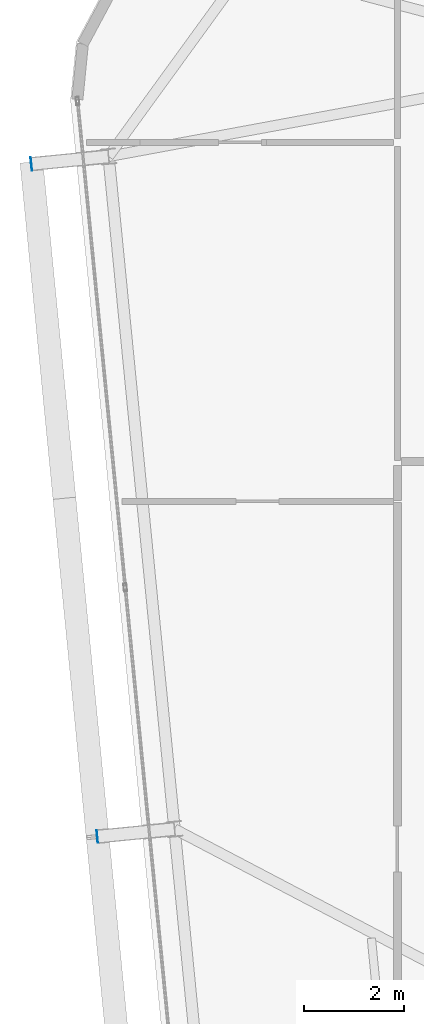
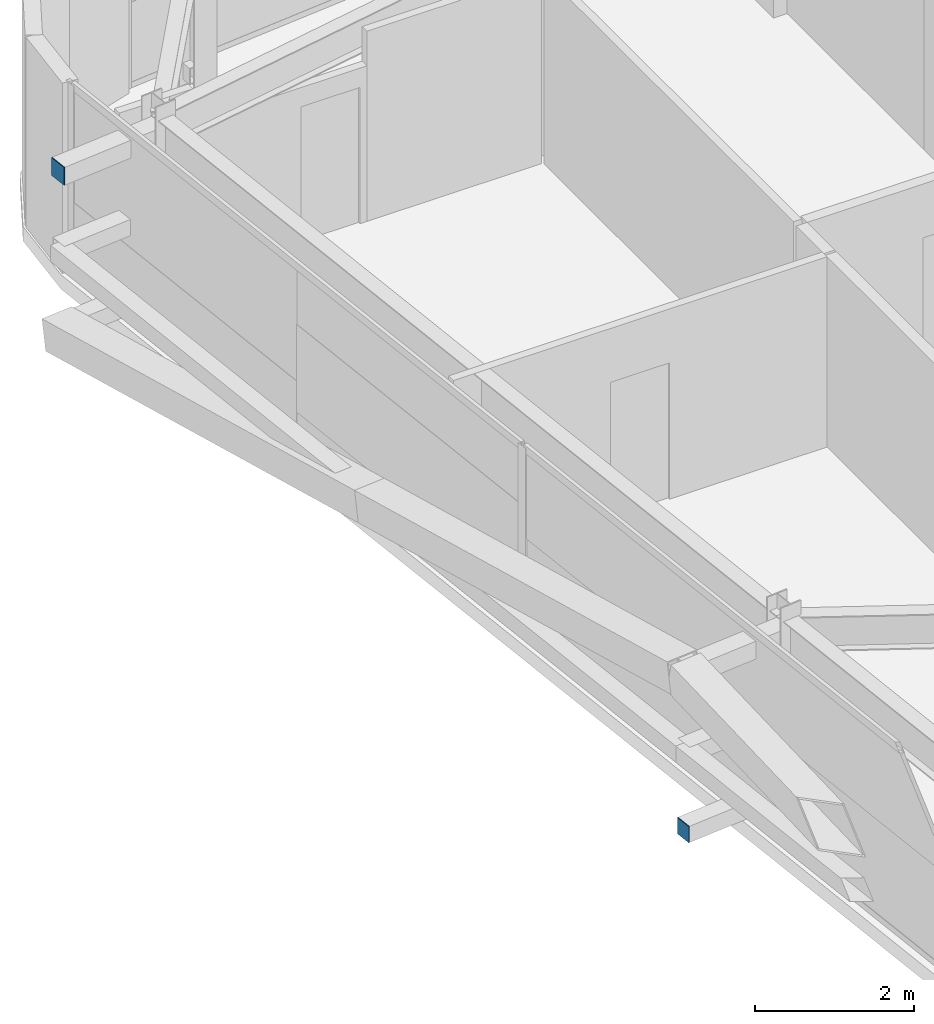
# One storey, part 35 of 47: 2 plates.
"""IFC4 building model written with IfcOpenShell, lengths in metres."""

from ifc_helpers import new_model, si_unit, direction, frame, origin, origin_2d, place, context, subcontext, project, spatial, rectangle, extrude, source, transform, mapped, material, layer, layer_set, type_object, element, save


model = new_model("IFC4")

# Units and contexts
model_context = context("Model", 3, precision=1e-05, world=origin(), true_north=direction((0.0, 1.0)))
body_context = subcontext(model_context, "Body", "Model", "MODEL_VIEW")
ifc_project = project(units=[si_unit("LENGTHUNIT", "METRE"), si_unit("AREAUNIT", "SQUARE_METRE"), si_unit("VOLUMEUNIT", "CUBIC_METRE"), si_unit("PLANEANGLEUNIT", "RADIAN"), si_unit("MASSUNIT", "GRAM", prefix="KILO")], contexts=[model_context])

# Site, building, storey
site_placement = place(None, origin())
site = spatial("IfcSite", under=ifc_project, at=site_placement, CompositionType="ELEMENT")
building_placement = place(site_placement, origin())
building = spatial("IfcBuilding", under=site, at=building_placement, Name="Taldren Reach Tower", CompositionType="ELEMENT")
storey_placement = place(building_placement, frame((0.0, 0.0, 106.050048828125)))
storey = spatial("IfcBuildingStorey", under=building, at=storey_placement, Name="L32", CompositionType="ELEMENT", Elevation=106.050048828125)

# Plates
ifc_material_1 = material(Name="Steel Gr 450 (C450L0)", Category="steel")
ifc_layer_1 = layer(ifc_material_1, 0.011962890625)
ifc_layer_set_1 = layer_set([ifc_layer_1], Name="Steel Gr 450 (C450L0)")
plate_type_1 = type_object("IfcPlateType", Name="PL-CAP-275", PredefinedType="SHEET", material=ifc_layer_set_1)
shared_shape_1 = source(origin(), body_context, "Body", "SweptSolid", [
    extrude(rectangle(XDim=0.011962890625, YDim=0.27490234375, at=origin_2d()), origin(), (0.0, 0.0, 1.0), 0.27490234375),
])
plate_1_placement = place(storey_placement, frame((7.259765625, 29.964599609375, 2.512451171875), z_axis=(0.0, 0.0, 1.0), x_axis=(0.995227399982, 0.097582899759, 0.0)))
element("IfcPlate", 1, at=plate_1_placement, inside=storey, type_object=plate_type_1, Name="Tie strut end cap plate B2-W3 L32", PredefinedType="SHEET", context=body_context, shape_type="MappedRepresentation", body=[
    mapped(shared_shape_1, transform((0.0, 0.0, 0.0), scale=1.0)),
])
ifc_material_2 = material(Name="Steel Gr 350 (C350L0)", Category="steel")
ifc_layer_2 = layer(ifc_material_2, 0.011962890625)
ifc_layer_set_2 = layer_set([ifc_layer_2], Name="Steel Gr 350 (C350L0)")
plate_type_2 = type_object("IfcPlateType", Name="PL-CAP-250", PredefinedType="SHEET", material=ifc_layer_set_2)
shared_shape_2 = source(origin(), body_context, "Body", "SweptSolid", [
    extrude(rectangle(XDim=0.011962890625, YDim=0.25, at=origin_2d()), origin(), (0.0, 0.0, 1.0), 0.25),
])
plate_2_placement = place(storey_placement, frame((8.58203125, 16.479248046875, 0.094970703125), z_axis=(0.0, 0.0, 1.0), x_axis=(0.995227399982, 0.097582899759, 0.0)))
element("IfcPlate", 2, at=plate_2_placement, inside=storey, type_object=plate_type_2, Name="Tie strut end cap plate B2-W2 L32", PredefinedType="SHEET", context=body_context, shape_type="MappedRepresentation", body=[
    mapped(shared_shape_2, transform((0.0, 0.0, 0.0), scale=1.0)),
])

save(model, "model.ifc")
